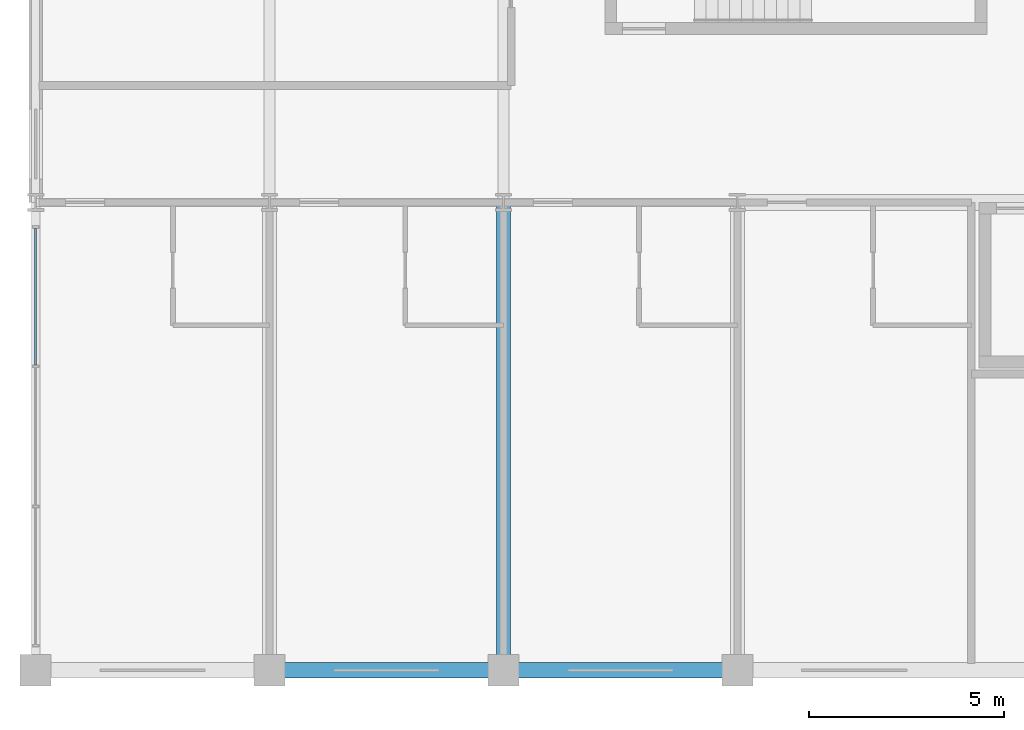
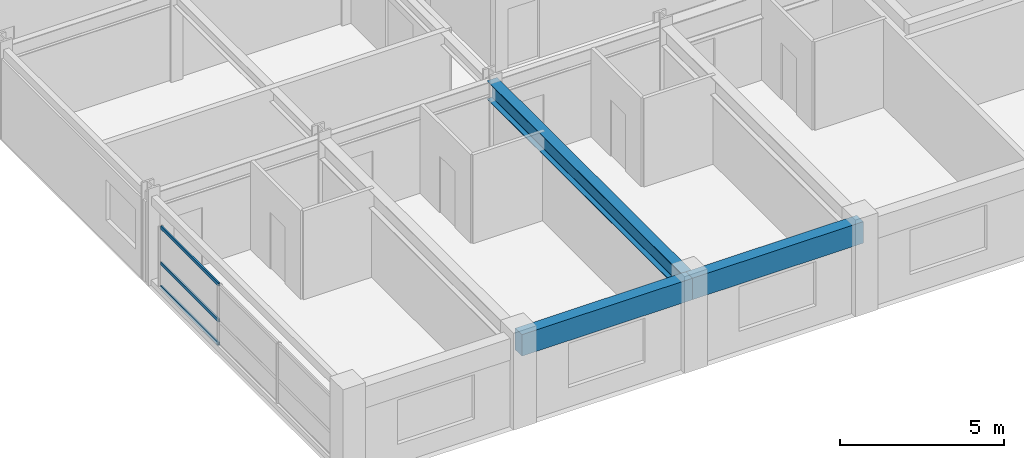
# One storey, part 3 of 26: 3 beams, 3 members, 1 element without a shape of its own.
"""IFC4 building model written with IfcOpenShell, lengths in metres."""

from ifc_helpers import new_model, si_unit, direction, frame, origin, origin_2d, place, context, subcontext, project, spatial, rectangle, hollow_rectangle, i_section, extrude, material, material_profile, profile_set, type_object, element, aggregate, save


model = new_model("IFC4")

# Units and contexts
model_context = context("Model", 3, precision=1e-05, world=origin(), true_north=direction((0.0, 1.0)))
body_context = subcontext(model_context, "Body", "Model", "MODEL_VIEW")
ifc_project = project(units=[si_unit("LENGTHUNIT", "METRE"), si_unit("AREAUNIT", "SQUARE_METRE"), si_unit("VOLUMEUNIT", "CUBIC_METRE"), si_unit("PLANEANGLEUNIT", "RADIAN"), si_unit("MASSUNIT", "GRAM", prefix="KILO")], contexts=[model_context])

# Site, building, storey
site_placement = place(None, origin())
site = spatial("IfcSite", under=ifc_project, at=site_placement, CompositionType="ELEMENT")
building_placement = place(site_placement, origin())
building = spatial("IfcBuilding", under=site, at=building_placement, Name="Kaldorvane Square Convention Centre", CompositionType="ELEMENT")
storey_placement = place(building_placement, frame((0.0, 0.0, 45.600006103515625)))
storey = spatial("IfcBuildingStorey", under=building, at=storey_placement, Name="L10", CompositionType="ELEMENT", Elevation=45.600006103515625)

# Beams
ifc_material_1 = material(Name="Steel ASTM A992 Gr. 50", Category="steel")
ifc_material_profile_1 = material_profile(ifc_material_1, i_section(OverallWidth=0.354705810546875, OverallDepth=0.69549560546875, WebThickness=0.0153961181640625, FlangeThickness=0.0251007080078125, FilletRadius=0.01519775390625, at=origin_2d()), Name="W27X146")
ifc_profile_set_1 = profile_set([ifc_material_profile_1], Name="Steel ASTM A992 Gr. 50")
beam_type_1 = type_object("IfcBeamType", Name="BM-GR-W27X146", PredefinedType="BEAM", material=ifc_profile_set_1)
beam_placement = place(storey_placement, frame((36.0, 84.0, 2.93829345703125), z_axis=(0.0, 1.0, 0.0), x_axis=(-1.0, 0.0, 0.0)))
element("IfcBeam", 1, at=beam_placement, inside=storey, type_object=beam_type_1, Name="Transverse Girder (L10)", PredefinedType="BEAM", context=body_context, shape_type="SweptSolid", body=[
    extrude(i_section(OverallWidth=0.354705810546875, OverallDepth=0.69549560546875, WebThickness=0.0153961181640625, FlangeThickness=0.0251007080078125, FilletRadius=0.01519775390625, at=origin_2d()), origin(), (0.0, 0.0, 1.0), 12.0),
])
ifc_material_2 = material(Name="Concrete f'c = 42 MPa (Normalweight)", Category="concrete")
ifc_material_profile_2 = material_profile(ifc_material_2, rectangle(XDim=0.399993896484375, YDim=0.8000030517578125, at=origin_2d()), Name="RCSP800X400")
ifc_profile_set_2 = profile_set([ifc_material_profile_2], Name="Concrete f'c = 42 MPa (Normalweight)")
beam_type_2 = type_object("IfcBeamType", Name="BM-SP-RC800", PredefinedType="SPANDREL", material=ifc_profile_set_2)
for number, where, z_axis, x_axis, name in (
    (2, (30.0, 84.0, 2.885986328125), (1.0, 0.0, 0.0), (0.0, 1.0, 0.0), "Perimeter Spandrel (L10)"),
    (3, (36.0, 84.0, 2.885986328125), (1.0, 0.0, 0.0), (0.0, 1.0, 0.0), "Perimeter Spandrel (L10)"),
):
    element("IfcBeam", number, at=place(storey_placement, frame(where, z_axis=z_axis, x_axis=x_axis)), inside=storey, type_object=beam_type_2, Name=name, PredefinedType="SPANDREL", context=body_context, shape_type="SweptSolid", body=[
        extrude(rectangle(XDim=0.399993896484375, YDim=0.8000030517578125, at=origin_2d()), origin(), (0.0, 0.0, 1.0), 6.0),
    ])

# Curtain wall, members
ifc_material_3 = material(Name="Anodized Aluminum and Low-E Insulated Glazing", Category="aluminium")
curtain_wall_type = type_object("IfcCurtainWallType", Name="CW-UNI-HTL-B", PredefinedType="USERDEFINED", material=ifc_material_3)
curtain_wall_placement = place(storey_placement, origin())
curtain_wall = element("IfcCurtainWall", 4, at=curtain_wall_placement, inside=storey, type_object=curtain_wall_type, Name="Curtain Wall CW-11 (L10)", ObjectType="UNITISED GLAZING", PredefinedType="USERDEFINED")
ifc_material_profile_3 = material_profile(ifc_material_3, hollow_rectangle(XDim=0.05499267578125, YDim=0.1199951171875, WallThickness=0.0030059814453125, at=origin_2d()), Name="CWT-120X55")
ifc_profile_set_3 = profile_set([ifc_material_profile_3], Name="Anodized Aluminum and Low-E Insulated Glazing")
member_type = type_object("IfcMemberType", Name="CW-TRN-120", PredefinedType="USERDEFINED", material=ifc_profile_set_3)
member_1_placement = place(storey_placement, frame((24.0, 95.33999633789062, 0.177490234375), z_axis=(0.0, -1.0, 0.0), x_axis=(1.0, 0.0, 0.0)))
member_1 = element("IfcMember", 5, at=member_1_placement, type_object=member_type, Name="CW-11 transom 1.1", ObjectType="TRANSOM", PredefinedType="USERDEFINED", context=body_context, shape_type="SweptSolid", body=[
    extrude(hollow_rectangle(XDim=0.05499267578125, YDim=0.1199951171875, WallThickness=0.0030059814453125, at=origin_2d()), origin(), (0.0, 0.0, 1.0), 3.5099945068359375),
])
member_2_placement = place(storey_placement, frame((24.0, 95.33999633789062, 1.04998779296875), z_axis=(0.0, -1.0, 0.0), x_axis=(1.0, 0.0, 0.0)))
member_2 = element("IfcMember", 6, at=member_2_placement, type_object=member_type, Name="CW-11 transom 1.2", ObjectType="TRANSOM", PredefinedType="USERDEFINED", context=body_context, shape_type="SweptSolid", body=[
    extrude(hollow_rectangle(XDim=0.05499267578125, YDim=0.1199951171875, WallThickness=0.0030059814453125, at=origin_2d()), origin(), (0.0, 0.0, 1.0), 3.5099945068359375),
])
member_3_placement = place(storey_placement, frame((24.0, 95.33999633789062, 2.3824920654296875), z_axis=(0.0, -1.0, 0.0), x_axis=(1.0, 0.0, 0.0)))
member_3 = element("IfcMember", 7, at=member_3_placement, type_object=member_type, Name="CW-11 transom 1.3", ObjectType="TRANSOM", PredefinedType="USERDEFINED", context=body_context, shape_type="SweptSolid", body=[
    extrude(hollow_rectangle(XDim=0.05499267578125, YDim=0.1199951171875, WallThickness=0.0030059814453125, at=origin_2d()), origin(), (0.0, 0.0, 1.0), 3.5099945068359375),
])
aggregate(curtain_wall, [member_1, member_2, member_3])

save(model, "model.ifc")
